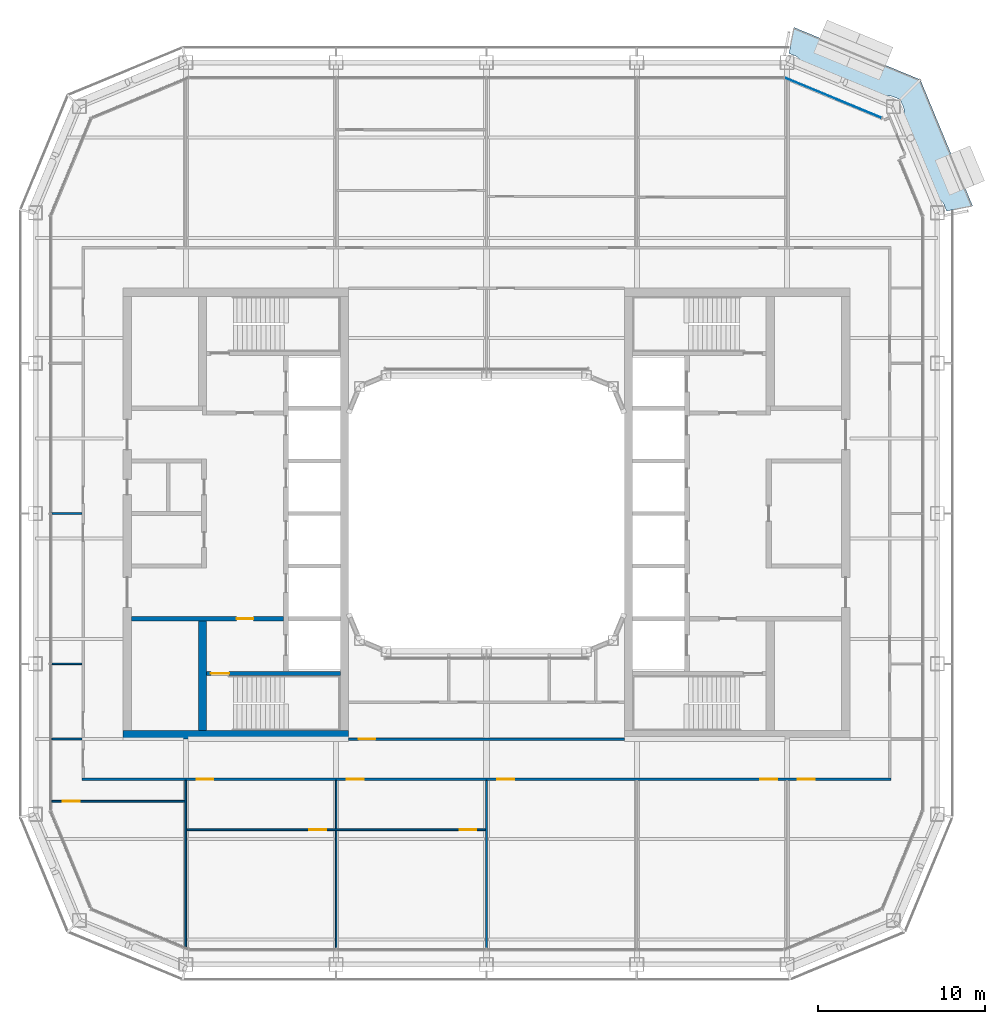
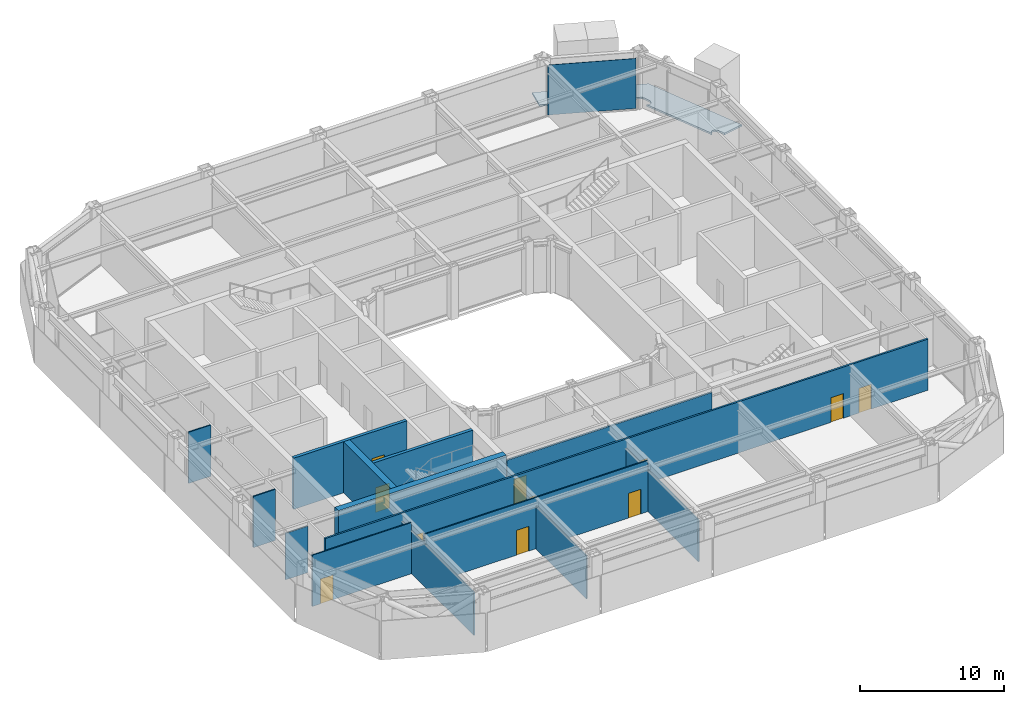
# One storey, part 12 of 23: 15 walls, 11 doors, 1 plate, 1 slab, 11 openings, 1 element without a shape of its own.
"""IFC4 building model written with IfcOpenShell, lengths in metres."""

from ifc_helpers import new_model, si_unit, direction, frame, frame_2d, origin, origin_2d, place, context, subcontext, project, spatial, polyline, rectangle, outline, extrude, material, layer, layer_set, type_object, element, fill, aggregate, save


model = new_model("IFC4")

# Units and contexts
model_context = context("Model", 3, precision=1e-05, world=origin(), true_north=direction((0.0, 1.0)))
body_context = subcontext(model_context, "Body", "Model", "MODEL_VIEW")
ifc_project = project(units=[si_unit("LENGTHUNIT", "METRE"), si_unit("AREAUNIT", "SQUARE_METRE"), si_unit("VOLUMEUNIT", "CUBIC_METRE"), si_unit("PLANEANGLEUNIT", "RADIAN"), si_unit("MASSUNIT", "GRAM", prefix="KILO")], contexts=[model_context])

# Site, building, storey
site_placement = place(None, origin())
site = spatial("IfcSite", under=ifc_project, at=site_placement, CompositionType="ELEMENT")
building_placement = place(site_placement, origin())
building = spatial("IfcBuilding", under=site, at=building_placement, Name="Siwar Civic Tower", CompositionType="ELEMENT")
storey_placement = place(building_placement, frame((0.0, 0.0, 206.199951171875)))
storey = spatial("IfcBuildingStorey", under=building, at=storey_placement, Name="L44", CompositionType="ELEMENT", Elevation=206.199951171875)

# Slab
ifc_material_1 = material(Name="Concrete C40/50", Category="concrete")
ifc_layer_1 = layer(ifc_material_1, 0.14990234375)
ifc_layer_set_1 = layer_set([ifc_layer_1], Name="Concrete C40/50")
slab_type = type_object("IfcSlabType", Name="ENV-BALCONY DECK 150", PredefinedType="FLOOR", material=ifc_layer_set_1)
slab_placement = place(storey_placement, frame((0.0, 0.0, -0.1494140625)))
element("IfcSlab", 1, at=slab_placement, inside=storey, type_object=slab_type, Name="Tree balcony deck NE", PredefinedType="FLOOR", context=body_context, shape_type="SweptSolid", body=[
    extrude(outline(polyline([(24.82080078125, 24.657470703125), (24.82080078125, 24.657470703125), (24.82421875, 24.649658203125), (24.924560546875, 24.40869140625), (24.94384765625, 24.362060546875), (24.94482421875, 24.35986328125), (24.96533203125, 24.305419921875), (24.967041015625, 24.300537109375), (24.98388671875, 24.244873046875), (24.985595703125, 24.238037109375), (24.99560546875, 24.189208984375), (24.99658203125, 24.183837890625), (25.002685546875, 24.13427734375), (25.003173828125, 24.12890625), (25.006103515625, 24.0791015625), (25.006103515625, 24.073974609375), (25.005615234375, 24.024169921875), (25.00537109375, 24.0185546875), (25.004638671875, 24.0126953125), (24.99755859375, 23.970947265625), (24.995849609375, 23.96337890625), (24.993408203125, 23.9560546875), (24.98046875, 23.922607421875), (24.978271484375, 23.91748046875), (24.962646484375, 23.88525390625), (24.96044921875, 23.880615234375), (24.942626953125, 23.849365234375), (24.93896484375, 23.84326171875), (24.9345703125, 23.837646484375), (24.9296875, 23.83251953125), (24.906982421875, 23.810546875), (24.900634765625, 23.804931640625), (24.8935546875, 23.80029296875), (24.885986328125, 23.796142578125), (24.85888671875, 23.78369140625), (24.85400390625, 23.78173828125), (24.826171875, 23.771240234375), (24.818115234375, 23.768798828125), (24.8095703125, 23.76708984375), (24.80126953125, 23.7666015625), (24.769775390625, 23.765869140625), (24.762451171875, 23.76611328125), (24.75537109375, 23.766845703125), (24.74853515625, 23.7685546875), (24.7138671875, 23.77783203125), (24.708984375, 23.779541015625), (24.675048828125, 23.791259765625), (24.669921875, 23.793212890625), (24.636962890625, 23.8076171875), (24.630126953125, 23.81103515625), (24.62353515625, 23.815185546875), (24.5888671875, 23.839599609375), (24.58447265625, 23.84326171875), (24.580078125, 23.846923828125), (24.57666015625, 23.85009765625), (26.77978515625, 18.531494140625), (26.7802734375, 18.5654296875), (26.780517578125, 18.5712890625), (26.78125, 18.576904296875), (26.788330078125, 18.61865234375), (26.789794921875, 18.626220703125), (26.792236328125, 18.633544921875), (26.805419921875, 18.6669921875), (26.8076171875, 18.672119140625), (26.822998046875, 18.70458984375), (26.825439453125, 18.709228515625), (26.84326171875, 18.740234375), (26.846923828125, 18.746337890625), (26.851318359375, 18.751953125), (26.856201171875, 18.75732421875), (26.87890625, 18.779052734375), (26.88525390625, 18.78466796875), (26.892333984375, 18.78955078125), (26.899658203125, 18.79345703125), (26.927001953125, 18.805908203125), (26.931884765625, 18.80810546875), (26.959716796875, 18.818603515625), (26.9677734375, 18.821044921875), (26.97607421875, 18.82275390625), (26.984619140625, 18.8232421875), (27.01611328125, 18.823974609375), (27.023193359375, 18.82373046875), (27.0302734375, 18.82275390625), (27.037353515625, 18.8212890625), (27.072021484375, 18.811767578125), (27.076904296875, 18.810302734375), (27.11083984375, 18.79833984375), (27.115966796875, 18.79638671875), (27.14892578125, 18.7822265625), (27.15576171875, 18.77880859375), (27.162353515625, 18.774658203125), (27.197021484375, 18.75), (27.201416015625, 18.74658203125), (27.205810546875, 18.74267578125), (27.241455078125, 18.7080078125), (27.2451171875, 18.704345703125), (27.278564453125, 18.667236328125), (27.281982421875, 18.663330078125), (27.312744140625, 18.623779296875), (27.31591796875, 18.619384765625), (27.343505859375, 18.577880859375), (27.34716796875, 18.57177734375), (27.374755859375, 18.520751953125), (27.377197265625, 18.51611328125), (27.4013671875, 18.463134765625), (27.40234375, 18.4609375), (27.405517578125, 18.453125), (27.417236328125, 18.425048828125), (27.425048828125, 18.425048828125), (27.425048828125, 18.406494140625), (27.522216796875, 18.17333984375), (27.525390625, 18.16552734375), (27.525390625, 18.16552734375), (27.52783203125, 18.15869140625), (27.533935546875, 18.13916015625), (27.53564453125, 18.13232421875), (27.53662109375, 18.12548828125), (27.538818359375, 18.107177734375), (29.10009765625, 18.417724609375), (25.97119140625, 25.97119140625), (18.417724609375, 29.10009765625), (18.106689453125, 27.5361328125), (18.107421875, 27.5361328125), (18.1240234375, 27.535400390625), (18.1328125, 27.53466796875), (18.141357421875, 27.53271484375), (18.156982421875, 27.5283203125), (18.16552734375, 27.525390625), (18.170166015625, 27.5234375), (18.17333984375, 27.522216796875), (18.18896484375, 27.515625), (18.227783203125, 27.49951171875), (18.240234375, 27.494140625), (18.406494140625, 27.425048828125), (18.425048828125, 27.425048828125), (18.425048828125, 27.417236328125), (18.453125, 27.405517578125), (18.4609375, 27.40234375), (18.463134765625, 27.4013671875), (18.51611328125, 27.377197265625), (18.520751953125, 27.374755859375), (18.57177734375, 27.34716796875), (18.577880859375, 27.343505859375), (18.619384765625, 27.31591796875), (18.623779296875, 27.312744140625), (18.663330078125, 27.281982421875), (18.667236328125, 27.278564453125), (18.704345703125, 27.2451171875), (18.7080078125, 27.241455078125), (18.74267578125, 27.205810546875), (18.74658203125, 27.201416015625), (18.75, 27.197021484375), (18.774658203125, 27.162353515625), (18.77880859375, 27.15576171875), (18.7822265625, 27.14892578125), (18.79638671875, 27.115966796875), (18.79833984375, 27.11083984375), (18.810302734375, 27.076904296875), (18.811767578125, 27.072021484375), (18.8212890625, 27.037353515625), (18.82275390625, 27.0302734375), (18.82373046875, 27.023193359375), (18.823974609375, 27.01611328125), (18.8232421875, 26.984619140625), (18.82275390625, 26.97607421875), (18.821044921875, 26.9677734375), (18.818603515625, 26.959716796875), (18.80810546875, 26.931884765625), (18.805908203125, 26.927001953125), (18.79345703125, 26.899658203125), (18.78955078125, 26.892333984375), (18.78466796875, 26.88525390625), (18.779052734375, 26.87890625), (18.75732421875, 26.856201171875), (18.751953125, 26.851318359375), (18.746337890625, 26.846923828125), (18.740234375, 26.84326171875), (18.709228515625, 26.825439453125), (18.70458984375, 26.822998046875), (18.672119140625, 26.8076171875), (18.6669921875, 26.805419921875), (18.633544921875, 26.792236328125), (18.626220703125, 26.789794921875), (18.61865234375, 26.788330078125), (18.576904296875, 26.78125), (18.5712890625, 26.780517578125), (18.5654296875, 26.7802734375), (18.531494140625, 26.77978515625), (23.85009765625, 24.57666015625), (23.846923828125, 24.580078125), (23.84326171875, 24.58447265625), (23.839599609375, 24.5888671875), (23.815185546875, 24.62353515625), (23.81103515625, 24.630126953125), (23.8076171875, 24.636962890625), (23.793212890625, 24.669921875), (23.791259765625, 24.675048828125), (23.779541015625, 24.708984375), (23.77783203125, 24.7138671875), (23.7685546875, 24.74853515625), (23.766845703125, 24.75537109375), (23.76611328125, 24.762451171875), (23.765869140625, 24.769775390625), (23.7666015625, 24.80126953125), (23.76708984375, 24.8095703125), (23.768798828125, 24.818115234375), (23.771240234375, 24.826171875), (23.78173828125, 24.85400390625), (23.78369140625, 24.85888671875), (23.796142578125, 24.885986328125), (23.80029296875, 24.8935546875), (23.804931640625, 24.900634765625), (23.810546875, 24.906982421875), (23.83251953125, 24.9296875), (23.837646484375, 24.9345703125), (23.84326171875, 24.93896484375), (23.849365234375, 24.942626953125), (23.880615234375, 24.96044921875), (23.88525390625, 24.962646484375), (23.91748046875, 24.978271484375), (23.922607421875, 24.98046875), (23.9560546875, 24.993408203125), (23.96337890625, 24.995849609375), (23.970947265625, 24.99755859375), (24.0126953125, 25.004638671875), (24.0185546875, 25.00537109375), (24.024169921875, 25.005615234375), (24.073974609375, 25.006103515625), (24.0791015625, 25.006103515625), (24.12890625, 25.003173828125), (24.13427734375, 25.002685546875), (24.183837890625, 24.99658203125), (24.189208984375, 24.99560546875), (24.238037109375, 24.985595703125), (24.244873046875, 24.98388671875), (24.300537109375, 24.967041015625), (24.305419921875, 24.96533203125), (24.35986328125, 24.94482421875), (24.362060546875, 24.94384765625), (24.40869140625, 24.924560546875), (24.649658203125, 24.82421875), (24.657470703125, 24.82080078125), (24.66552734375, 24.81689453125), (24.6796875, 24.808837890625), (24.68701171875, 24.80419921875), (24.693603515625, 24.798583984375), (24.7041015625, 24.7890625), (24.7890625, 24.7890625), (24.7890625, 24.712646484375), (24.801025390625, 24.695556640625), (24.806640625, 24.686279296875), (24.818603515625, 24.662353515625), (24.82080078125, 24.657470703125), (24.82080078125, 24.657470703125), (24.82080078125, 24.657470703125), (24.82080078125, 24.657470703125)])), origin(), (0.0, 0.0, 1.0), 0.1494140625),
])

# Curtain wall, plate
ifc_material_2 = material(Name="Aluminium clad insulated panel", Category="aluminium")
ifc_layer_2 = layer(ifc_material_2, 0.179931640625)
ifc_layer_set_2 = layer_set([ifc_layer_2], Name="Aluminium clad insulated panel")
curtain_wall_type = type_object("IfcCurtainWallType", Name="ENV-CW-CX", PredefinedType="NOTDEFINED", material=ifc_layer_set_2)
curtain_wall_placement = place(storey_placement, origin())
curtain_wall = element("IfcCurtainWall", 2, at=curtain_wall_placement, inside=storey, type_object=curtain_wall_type, Name="Curtain wall C NE2", PredefinedType="NOTDEFINED")
ifc_material_3 = material(Name="Aluminium clad insulated panel", Category="aluminium")
ifc_layer_3 = layer(ifc_material_3, 0.031982421875)
ifc_layer_set_3 = layer_set([ifc_layer_3], Name="Aluminium clad insulated panel")
plate_type = type_object("IfcPlateType", Name="ENV-PANEL-CX", PredefinedType="CURTAIN_PANEL", material=ifc_layer_set_3)
plate_placement = place(storey_placement, frame((20.78271484375, 24.873291015625, 0.10009765625), z_axis=(0.0, 0.0, 1.0), x_axis=(-0.923879532511, 0.382683432365, 0.0)))
plate = element("IfcPlate", 3, at=plate_placement, type_object=plate_type, Name="Curtain panel C NE2 1", PredefinedType="CURTAIN_PANEL", context=body_context, shape_type="SweptSolid", body=[
    extrude(rectangle(XDim=6.20166015625, YDim=0.031982421875, at=origin_2d()), origin(), (0.0, 0.0, 1.0), 4.25),
])
aggregate(curtain_wall, [plate])

# Wall, opening, door
ifc_material_4 = material(Name="Concrete C60/75", Category="concrete")
ifc_layer_4 = layer(ifc_material_4, 0.25)
ifc_layer_set_4 = layer_set([ifc_layer_4], Name="Concrete C60/75")
wall_type_1 = type_object("IfcWallType", Name="CORE-WALL-RC250", PredefinedType="SHEAR", material=ifc_layer_set_4)
wall_1_placement = place(storey_placement, frame((-12.14990234375, -6.300048828125, 0.0), z_axis=(0.0, 0.0, 1.0), x_axis=(-1.0, 0.0, 0.0)))
wall_1 = element("IfcWall", 4, at=wall_1_placement, inside=storey, type_object=wall_type_1, Name="Core wall W", PredefinedType="SHEAR", context=body_context, shape_type="SweptSolid", body=[
    extrude(rectangle(XDim=9.10009765625, YDim=0.25, at=frame_2d((4.550048828125, 0.0))), origin(), (0.0, 0.0, 1.0), 4.35009765625),
])
opening_1_placement = place(wall_1_placement, frame((1.800048828125, 0.0, 0.0)))
opening_1 = element("IfcOpeningElement", 5, at=opening_1_placement, cuts=wall_1, Name="Opening L44-CW02", PredefinedType="OPENING", context=body_context, shape_type="SweptSolid", body=[
    extrude(rectangle(XDim=1.0, YDim=2.10009765625, at=frame_2d((0.5, 1.050048828125))), frame((0.0, 0.135009765625, 0.0), z_axis=(0.0, -1.0, 0.0), x_axis=(1.0, 0.0, 0.0)), (0.0, 0.0, 1.0), 0.27001953125),
])
ifc_material_5 = material(Name="Steel door leaf", Category="steel")
door_type_1 = type_object("IfcDoorType", Name="CORE-DOOR-FD30S", OperationType="SINGLE_SWING_LEFT", PredefinedType="DOOR", material=ifc_material_5)
door_1_placement = place(opening_1_placement, origin())
door_1 = element("IfcDoor", 6, at=door_1_placement, inside=storey, type_object=door_type_1, Name="Service lobby door L44-CW02", OperationType="SINGLE_SWING_RIGHT", OverallHeight=2.10009765625, OverallWidth=1.0, PredefinedType="DOOR", context=body_context, shape_type="SweptSolid", body=[
    extrude(rectangle(XDim=1.0, YDim=2.10009765625, at=frame_2d((0.5, 1.050048828125))), frame((0.0, 0.02490234375, 0.0), z_axis=(0.0, -1.0, 0.0), x_axis=(1.0, 0.0, 0.0)), (0.0, 0.0, 1.0), 0.050048828125),
])
fill(opening_1, door_1)

wall_2_placement = place(storey_placement, frame((-8.75, -9.574951171875, 0.0), z_axis=(0.0, 0.0, 1.0), x_axis=(-1.0, 0.0, 0.0)))
wall_2 = element("IfcWall", 7, at=wall_2_placement, inside=storey, type_object=wall_type_1, Name="Core wall W", PredefinedType="SHEAR", context=body_context, shape_type="SweptSolid", body=[
    extrude(rectangle(XDim=8.0, YDim=0.25, at=frame_2d((4.0, 0.0))), origin(), (0.0, 0.0, 1.0), 4.35009765625),
])
opening_2_placement = place(wall_2_placement, frame((6.64990234375, 0.0, 0.0)))
opening_2 = element("IfcOpeningElement", 8, at=opening_2_placement, cuts=wall_2, Name="Opening L44-CW04", PredefinedType="OPENING", context=body_context, shape_type="SweptSolid", body=[
    extrude(rectangle(XDim=1.10009765625, YDim=2.10009765625, at=frame_2d((0.550048828125, 1.050048828125))), frame((0.0, 0.135009765625, 0.0), z_axis=(0.0, -1.0, 0.0), x_axis=(1.0, 0.0, 0.0)), (0.0, 0.0, 1.0), 0.27001953125),
])
ifc_material_6 = material(Name="Steel door leaf", Category="steel")
door_type_2 = type_object("IfcDoorType", Name="CORE-DOOR-FD60S", OperationType="SINGLE_SWING_LEFT", PredefinedType="DOOR", material=ifc_material_6)
door_2_placement = place(opening_2_placement, origin())
door_2 = element("IfcDoor", 9, at=door_2_placement, inside=storey, type_object=door_type_2, Name="Stair door L44-CW04", OperationType="SINGLE_SWING_LEFT", OverallHeight=2.10009765625, OverallWidth=1.10009765625, PredefinedType="DOOR", context=body_context, shape_type="SweptSolid", body=[
    extrude(rectangle(XDim=1.10009765625, YDim=2.10009765625, at=frame_2d((0.550048828125, 1.050048828125))), frame((0.0, 0.02490234375, 0.0), z_axis=(0.0, -1.0, 0.0), x_axis=(1.0, 0.0, 0.0)), (0.0, 0.0, 1.0), 0.050048828125),
])
fill(opening_2, door_2)

# Walls
ifc_material_7 = material(Name="Concrete C60/75", Category="concrete")
ifc_layer_5 = layer(ifc_material_7, 0.5)
ifc_layer_set_5 = layer_set([ifc_layer_5], Name="Concrete C60/75")
wall_type_2 = type_object("IfcWallType", Name="CORE-WALL-RC500", PredefinedType="SHEAR", material=ifc_layer_set_5)
wall_3_placement = place(storey_placement, frame((-17.0, -13.0, 0.0), z_axis=(0.0, 0.0, 1.0), x_axis=(0.0, 1.0, 0.0)))
element("IfcWall", 10, at=wall_3_placement, inside=storey, type_object=wall_type_2, Name="Core wall W", PredefinedType="SHEAR", context=body_context, shape_type="SweptSolid", body=[
    extrude(rectangle(XDim=6.574951171875, YDim=0.5, at=frame_2d((3.28759765625, 0.0))), origin(), (0.0, 0.0, 1.0), 4.35009765625),
])
wall_4_placement = place(storey_placement, frame((-8.25, -13.25, 0.0), z_axis=(0.0, 0.0, 1.0), x_axis=(-1.0, 0.0, 0.0)))
element("IfcWall", 11, at=wall_4_placement, inside=storey, type_object=wall_type_2, Name="Core wall W", PredefinedType="SHEAR", context=body_context, shape_type="SweptSolid", body=[
    extrude(rectangle(XDim=13.5, YDim=0.5, at=frame_2d((6.75, 0.0))), origin(), (0.0, 0.0, 1.0), 4.35009765625),
])

# Wall, openings, doors
ifc_material_8 = material(Name="Gypsum board on steel studs", Category="steel")
ifc_layer_6 = layer(ifc_material_8, 0.14990234375)
ifc_layer_set_6 = layer_set([ifc_layer_6], Name="Gypsum board on steel studs")
wall_type_3 = type_object("IfcWallType", Name="CORRIDOR PARTITION 150 EI 30", PredefinedType="PARTITIONING", material=ifc_layer_set_6)
wall_5_placement = place(storey_placement, frame((-24.22509765625, -15.89990234375, 0.0), z_axis=(0.0, 0.0, 1.0), x_axis=(1.0, 0.0, 0.0)))
wall_5 = element("IfcWall", 12, at=wall_5_placement, inside=storey, type_object=wall_type_3, Name="L44/wall/P03", PredefinedType="PARTITIONING", context=body_context, shape_type="SweptSolid", body=[
    extrude(rectangle(XDim=48.4501953125, YDim=0.14990234375, at=frame_2d((24.22509765625, 0.0))), origin(), (0.0, 0.0, 1.0), 4.35009765625),
])
opening_3_placement = place(wall_5_placement, frame((6.875, 0.0, 0.0)))
opening_3 = element("IfcOpeningElement", 13, at=opening_3_placement, cuts=wall_5, Name="Opening D1", PredefinedType="OPENING", context=body_context, shape_type="SweptSolid", body=[
    extrude(rectangle(XDim=1.0, YDim=2.10009765625, at=frame_2d((0.5, 1.050048828125))), frame((0.0, 0.0849609375, 0.0), z_axis=(0.0, -1.0, 0.0), x_axis=(1.0, 0.0, 0.0)), (0.0, 0.0, 1.0), 0.169921875),
])
opening_4_placement = place(wall_5_placement, frame((15.875, 0.0, 0.0)))
opening_4 = element("IfcOpeningElement", 14, at=opening_4_placement, cuts=wall_5, Name="Opening D1", PredefinedType="OPENING", context=body_context, shape_type="SweptSolid", body=[
    extrude(rectangle(XDim=1.0, YDim=2.10009765625, at=frame_2d((0.5, 1.050048828125))), frame((0.0, 0.0849609375, 0.0), z_axis=(0.0, -1.0, 0.0), x_axis=(1.0, 0.0, 0.0)), (0.0, 0.0, 1.0), 0.169921875),
])
opening_5_placement = place(wall_5_placement, frame((24.875, 0.0, 0.0)))
opening_5 = element("IfcOpeningElement", 15, at=opening_5_placement, cuts=wall_5, Name="Opening D1", PredefinedType="OPENING", context=body_context, shape_type="SweptSolid", body=[
    extrude(rectangle(XDim=1.0, YDim=2.10009765625, at=frame_2d((0.5, 1.050048828125))), frame((0.0, 0.0849609375, 0.0), z_axis=(0.0, -1.0, 0.0), x_axis=(1.0, 0.0, 0.0)), (0.0, 0.0, 1.0), 0.169921875),
])
opening_6_placement = place(wall_5_placement, frame((40.625, 0.0, 0.0)))
opening_6 = element("IfcOpeningElement", 16, at=opening_6_placement, cuts=wall_5, Name="Opening D1", PredefinedType="OPENING", context=body_context, shape_type="SweptSolid", body=[
    extrude(rectangle(XDim=1.0, YDim=2.10009765625, at=frame_2d((0.5, 1.050048828125))), frame((0.0, 0.0849609375, 0.0), z_axis=(0.0, -1.0, 0.0), x_axis=(1.0, 0.0, 0.0)), (0.0, 0.0, 1.0), 0.169921875),
])
opening_7_placement = place(wall_5_placement, frame((42.875, 0.0, 0.0)))
opening_7 = element("IfcOpeningElement", 17, at=opening_7_placement, cuts=wall_5, Name="Opening D1", PredefinedType="OPENING", context=body_context, shape_type="SweptSolid", body=[
    extrude(rectangle(XDim=1.0, YDim=2.10009765625, at=frame_2d((0.5, 1.050048828125))), frame((0.0, 0.0849609375, 0.0), z_axis=(0.0, -1.0, 0.0), x_axis=(1.0, 0.0, 0.0)), (0.0, 0.0, 1.0), 0.169921875),
])
ifc_material_9 = material(Name="Timber, painted", Category="wood")
door_type_3 = type_object("IfcDoorType", Name="DOOR 1000 X 2100 FD30", OperationType="SINGLE_SWING_LEFT", PredefinedType="DOOR", material=ifc_material_9)
door_3_placement = place(opening_3_placement, origin())
door_3 = element("IfcDoor", 18, at=door_3_placement, inside=storey, type_object=door_type_3, Name="L44-D09", OperationType="SINGLE_SWING_LEFT", OverallHeight=2.10009765625, OverallWidth=1.0, PredefinedType="DOOR", context=body_context, shape_type="SweptSolid", body=[
    extrude(rectangle(XDim=1.0, YDim=2.10009765625, at=frame_2d((0.5, 1.050048828125))), frame((0.0, 0.02490234375, 0.0), z_axis=(0.0, -1.0, 0.0), x_axis=(1.0, 0.0, 0.0)), (0.0, 0.0, 1.0), 0.050048828125),
])
fill(opening_3, door_3)
door_4_placement = place(opening_4_placement, origin())
door_4 = element("IfcDoor", 19, at=door_4_placement, inside=storey, type_object=door_type_3, Name="L44-D11", OperationType="SINGLE_SWING_LEFT", OverallHeight=2.10009765625, OverallWidth=1.0, PredefinedType="DOOR", context=body_context, shape_type="SweptSolid", body=[
    extrude(rectangle(XDim=1.0, YDim=2.10009765625, at=frame_2d((0.5, 1.050048828125))), frame((0.0, 0.02490234375, 0.0), z_axis=(0.0, -1.0, 0.0), x_axis=(1.0, 0.0, 0.0)), (0.0, 0.0, 1.0), 0.050048828125),
])
fill(opening_4, door_4)
door_5_placement = place(opening_5_placement, origin())
door_5 = element("IfcDoor", 20, at=door_5_placement, inside=storey, type_object=door_type_3, Name="L44-D13", OperationType="SINGLE_SWING_LEFT", OverallHeight=2.10009765625, OverallWidth=1.0, PredefinedType="DOOR", context=body_context, shape_type="SweptSolid", body=[
    extrude(rectangle(XDim=1.0, YDim=2.10009765625, at=frame_2d((0.5, 1.050048828125))), frame((0.0, 0.02490234375, 0.0), z_axis=(0.0, -1.0, 0.0), x_axis=(1.0, 0.0, 0.0)), (0.0, 0.0, 1.0), 0.050048828125),
])
fill(opening_5, door_5)
door_6_placement = place(opening_6_placement, origin())
door_6 = element("IfcDoor", 21, at=door_6_placement, inside=storey, type_object=door_type_3, Name="L44-D14", OperationType="SINGLE_SWING_RIGHT", OverallHeight=2.10009765625, OverallWidth=1.0, PredefinedType="DOOR", context=body_context, shape_type="SweptSolid", body=[
    extrude(rectangle(XDim=1.0, YDim=2.10009765625, at=frame_2d((0.5, 1.050048828125))), frame((0.0, 0.02490234375, 0.0), z_axis=(0.0, -1.0, 0.0), x_axis=(1.0, 0.0, 0.0)), (0.0, 0.0, 1.0), 0.050048828125),
])
fill(opening_6, door_6)
door_7_placement = place(opening_7_placement, origin())
door_7 = element("IfcDoor", 22, at=door_7_placement, inside=storey, type_object=door_type_3, Name="L44-D19", OperationType="SINGLE_SWING_LEFT", OverallHeight=2.10009765625, OverallWidth=1.0, PredefinedType="DOOR", context=body_context, shape_type="SweptSolid", body=[
    extrude(rectangle(XDim=1.0, YDim=2.10009765625, at=frame_2d((0.5, 1.050048828125))), frame((0.0, 0.02490234375, 0.0), z_axis=(0.0, -1.0, 0.0), x_axis=(1.0, 0.0, 0.0)), (0.0, 0.0, 1.0), 0.050048828125),
])
fill(opening_7, door_7)

# Wall, opening, door
wall_6_placement = place(storey_placement, frame((-8.25, -13.5, 0.0), z_axis=(0.0, 0.0, 1.0), x_axis=(1.0, 0.0, 0.0)))
wall_6 = element("IfcWall", 23, at=wall_6_placement, inside=storey, type_object=wall_type_3, Name="L44/wall/P06", PredefinedType="PARTITIONING", context=body_context, shape_type="SweptSolid", body=[
    extrude(rectangle(XDim=16.5, YDim=0.14990234375, at=frame_2d((8.25, 0.0))), origin(), (0.0, 0.0, 1.0), 3.949951171875),
])
opening_8_placement = place(wall_6_placement, frame((0.60009765625, 0.0, 0.0)))
opening_8 = element("IfcOpeningElement", 24, at=opening_8_placement, cuts=wall_6, Name="Opening D1", PredefinedType="OPENING", context=body_context, shape_type="SweptSolid", body=[
    extrude(rectangle(XDim=1.0, YDim=2.10009765625, at=frame_2d((0.5, 1.050048828125))), frame((0.0, 0.0849609375, 0.0), z_axis=(0.0, -1.0, 0.0), x_axis=(1.0, 0.0, 0.0)), (0.0, 0.0, 1.0), 0.169921875),
])
door_8_placement = place(opening_8_placement, origin())
door_8 = element("IfcDoor", 25, at=door_8_placement, inside=storey, type_object=door_type_3, Name="L44-D30", OperationType="SINGLE_SWING_RIGHT", OverallHeight=2.10009765625, OverallWidth=1.0, PredefinedType="DOOR", context=body_context, shape_type="SweptSolid", body=[
    extrude(rectangle(XDim=1.0, YDim=2.10009765625, at=frame_2d((0.5, 1.050048828125))), frame((0.0, 0.02490234375, 0.0), z_axis=(0.0, -1.0, 0.0), x_axis=(1.0, 0.0, 0.0)), (0.0, 0.0, 1.0), 0.050048828125),
])
fill(opening_8, door_8)

# Wall, openings, doors
ifc_material_10 = material(Name="Gypsum board on steel studs", Category="steel")
ifc_layer_7 = layer(ifc_material_10, 0.10009765625)
ifc_layer_set_7 = layer_set([ifc_layer_7], Name="Gypsum board on steel studs")
wall_type_4 = type_object("IfcWallType", Name="PARTITION 100 GYPSUM", PredefinedType="PARTITIONING", material=ifc_layer_set_7)
wall_7_placement = place(storey_placement, frame((-17.949951171875, -18.93310546875, 0.0), z_axis=(0.0, 0.0, 1.0), x_axis=(1.0, 0.0, 0.0)))
wall_7 = element("IfcWall", 26, at=wall_7_placement, inside=storey, type_object=wall_type_4, Name="L44/wall/P01", PredefinedType="PARTITIONING", context=body_context, shape_type="SweptSolid", body=[
    extrude(rectangle(XDim=17.89990234375, YDim=0.10009765625, at=frame_2d((8.949951171875, 0.0))), origin(), (0.0, 0.0, 1.0), 4.35009765625),
])
opening_9_placement = place(wall_7_placement, frame((7.35009765625, 0.0, 0.0)))
opening_9 = element("IfcOpeningElement", 27, at=opening_9_placement, cuts=wall_7, Name="Opening D2", PredefinedType="OPENING", context=body_context, shape_type="SweptSolid", body=[
    extrude(rectangle(XDim=1.0, YDim=2.10009765625, at=frame_2d((0.5, 1.050048828125))), frame((0.0, 0.06005859375, 0.0), z_axis=(0.0, -1.0, 0.0), x_axis=(1.0, 0.0, 0.0)), (0.0, 0.0, 1.0), 0.1201171875),
])
opening_10_placement = place(wall_7_placement, frame((16.35009765625, 0.0, 0.0)))
opening_10 = element("IfcOpeningElement", 28, at=opening_10_placement, cuts=wall_7, Name="Opening D2", PredefinedType="OPENING", context=body_context, shape_type="SweptSolid", body=[
    extrude(rectangle(XDim=1.0, YDim=2.10009765625, at=frame_2d((0.5, 1.050048828125))), frame((0.0, 0.06005859375, 0.0), z_axis=(0.0, -1.0, 0.0), x_axis=(1.0, 0.0, 0.0)), (0.0, 0.0, 1.0), 0.1201171875),
])
ifc_material_11 = material(Name="Timber, painted", Category="wood")
door_type_4 = type_object("IfcDoorType", Name="DOOR 1000 X 2100", OperationType="SINGLE_SWING_LEFT", PredefinedType="DOOR", material=ifc_material_11)
door_9_placement = place(opening_9_placement, origin())
door_9 = element("IfcDoor", 29, at=door_9_placement, inside=storey, type_object=door_type_4, Name="L44-D10", OperationType="SINGLE_SWING_RIGHT", OverallHeight=2.10009765625, OverallWidth=1.0, PredefinedType="DOOR", context=body_context, shape_type="SweptSolid", body=[
    extrude(rectangle(XDim=1.0, YDim=2.10009765625, at=frame_2d((0.5, 1.050048828125))), frame((0.0, 0.02490234375, 0.0), z_axis=(0.0, -1.0, 0.0), x_axis=(1.0, 0.0, 0.0)), (0.0, 0.0, 1.0), 0.050048828125),
])
fill(opening_9, door_9)
door_10_placement = place(opening_10_placement, origin())
door_10 = element("IfcDoor", 30, at=door_10_placement, inside=storey, type_object=door_type_4, Name="L44-D12", OperationType="SINGLE_SWING_RIGHT", OverallHeight=2.10009765625, OverallWidth=1.0, PredefinedType="DOOR", context=body_context, shape_type="SweptSolid", body=[
    extrude(rectangle(XDim=1.0, YDim=2.10009765625, at=frame_2d((0.5, 1.050048828125))), frame((0.0, 0.02490234375, 0.0), z_axis=(0.0, -1.0, 0.0), x_axis=(1.0, 0.0, 0.0)), (0.0, 0.0, 1.0), 0.050048828125),
])
fill(opening_10, door_10)

# Wall, opening, door
wall_8_placement = place(storey_placement, frame((-26.010009765625, -17.22802734375, 0.0), z_axis=(0.0, 0.0, 1.0), x_axis=(1.0, 0.0, 0.0)))
wall_8 = element("IfcWall", 31, at=wall_8_placement, inside=storey, type_object=wall_type_4, Name="L44/wall/P02", PredefinedType="PARTITIONING", context=body_context, shape_type="SweptSolid", body=[
    extrude(rectangle(XDim=7.9599609375, YDim=0.10009765625, at=frame_2d((3.97998046875, 0.0))), origin(), (0.0, 0.0, 1.0), 4.35009765625),
])
opening_11_placement = place(wall_8_placement, frame((0.64990234375, 0.0, 0.0)))
opening_11 = element("IfcOpeningElement", 32, at=opening_11_placement, cuts=wall_8, Name="Opening D2", PredefinedType="OPENING", context=body_context, shape_type="SweptSolid", body=[
    extrude(rectangle(XDim=1.0, YDim=2.10009765625, at=frame_2d((0.5, 1.050048828125))), frame((0.0, 0.06005859375, 0.0), z_axis=(0.0, -1.0, 0.0), x_axis=(1.0, 0.0, 0.0)), (0.0, 0.0, 1.0), 0.1201171875),
])
door_11_placement = place(opening_11_placement, origin())
door_11 = element("IfcDoor", 33, at=door_11_placement, inside=storey, type_object=door_type_4, Name="L44-D18", OperationType="SINGLE_SWING_LEFT", OverallHeight=2.10009765625, OverallWidth=1.0, PredefinedType="DOOR", context=body_context, shape_type="SweptSolid", body=[
    extrude(rectangle(XDim=1.0, YDim=2.10009765625, at=frame_2d((0.5, 1.050048828125))), frame((0.0, 0.02490234375, 0.0), z_axis=(0.0, -1.0, 0.0), x_axis=(1.0, 0.0, 0.0)), (0.0, 0.0, 1.0), 0.050048828125),
])
fill(opening_11, door_11)

# Walls
wall_9_placement = place(storey_placement, frame((-26.010009765625, -13.5, 0.0), z_axis=(0.0, 0.0, 1.0), x_axis=(1.0, 0.0, 0.0)))
element("IfcWall", 34, at=wall_9_placement, inside=storey, type_object=wall_type_4, Name="L44/wall/P04", PredefinedType="PARTITIONING", context=body_context, shape_type="SweptSolid", body=[
    extrude(rectangle(XDim=1.784912109375, YDim=0.10009765625, at=frame_2d((0.892578125, 0.0))), origin(), (0.0, 0.0, 1.0), 3.949951171875),
])
for number, where, z_axis, x_axis, name in (
    (35, (-26.010009765625, -9.0, 0.0), (0.0, 0.0, 1.0), (1.0, 0.0, 0.0), "L44/wall/P09"),
    (36, (-26.010009765625, 0.0, 0.0), (0.0, 0.0, 1.0), (1.0, 0.0, 0.0), "L44/wall/P11"),
):
    element("IfcWall", number, at=place(storey_placement, frame(where, z_axis=z_axis, x_axis=x_axis)), inside=storey, type_object=wall_type_4, Name=name, PredefinedType="PARTITIONING", context=body_context, shape_type="SweptSolid", body=[
        extrude(rectangle(XDim=1.784912109375, YDim=0.10009765625, at=frame_2d((0.892578125, 0.0))), origin(), (0.0, 0.0, 1.0), 4.35009765625),
    ])
wall_10_placement = place(storey_placement, frame((-18.0, -25.927978515625, 0.0), z_axis=(0.0, 0.0, 1.0), x_axis=(0.0, 1.0, 0.0)))
element("IfcWall", 37, at=wall_10_placement, inside=storey, type_object=wall_type_4, Name="L44/wall/P24", PredefinedType="PARTITIONING", context=body_context, shape_type="SweptSolid", body=[
    extrude(rectangle(XDim=9.952880859375, YDim=0.10009765625, at=frame_2d((4.9765625, 0.0))), origin(), (0.0, 0.0, 1.0), 3.650146484375),
])
wall_11_placement = place(storey_placement, frame((-9.0, -26.010009765625, 0.0), z_axis=(0.0, 0.0, 1.0), x_axis=(0.0, 1.0, 0.0)))
element("IfcWall", 38, at=wall_11_placement, inside=storey, type_object=wall_type_4, Name="L44/wall/P26", PredefinedType="PARTITIONING", context=body_context, shape_type="SweptSolid", body=[
    extrude(rectangle(XDim=7.027099609375, YDim=0.10009765625, at=frame_2d((3.513671875, 0.0))), origin(), (0.0, 0.0, 1.0), 3.650146484375),
])
wall_12_placement = place(storey_placement, frame((-9.0, -18.883056640625, 0.0), z_axis=(0.0, 0.0, 1.0), x_axis=(0.0, 1.0, 0.0)))
element("IfcWall", 39, at=wall_12_placement, inside=storey, type_object=wall_type_4, Name="L44/wall/P27", PredefinedType="PARTITIONING", context=body_context, shape_type="SweptSolid", body=[
    extrude(rectangle(XDim=2.907958984375, YDim=0.10009765625, at=frame_2d((1.4541015625, 0.0))), origin(), (0.0, 0.0, 1.0), 3.650146484375),
])
wall_13_placement = place(storey_placement, frame((0.0, -26.010009765625, 0.0), z_axis=(0.0, 0.0, 1.0), x_axis=(0.0, 1.0, 0.0)))
element("IfcWall", 40, at=wall_13_placement, inside=storey, type_object=wall_type_4, Name="L44/wall/P30", PredefinedType="PARTITIONING", context=body_context, shape_type="SweptSolid", body=[
    extrude(rectangle(XDim=10.034912109375, YDim=0.10009765625, at=frame_2d((5.017578125, 0.0))), origin(), (0.0, 0.0, 1.0), 3.550048828125),
])

save(model, "model.ifc")
